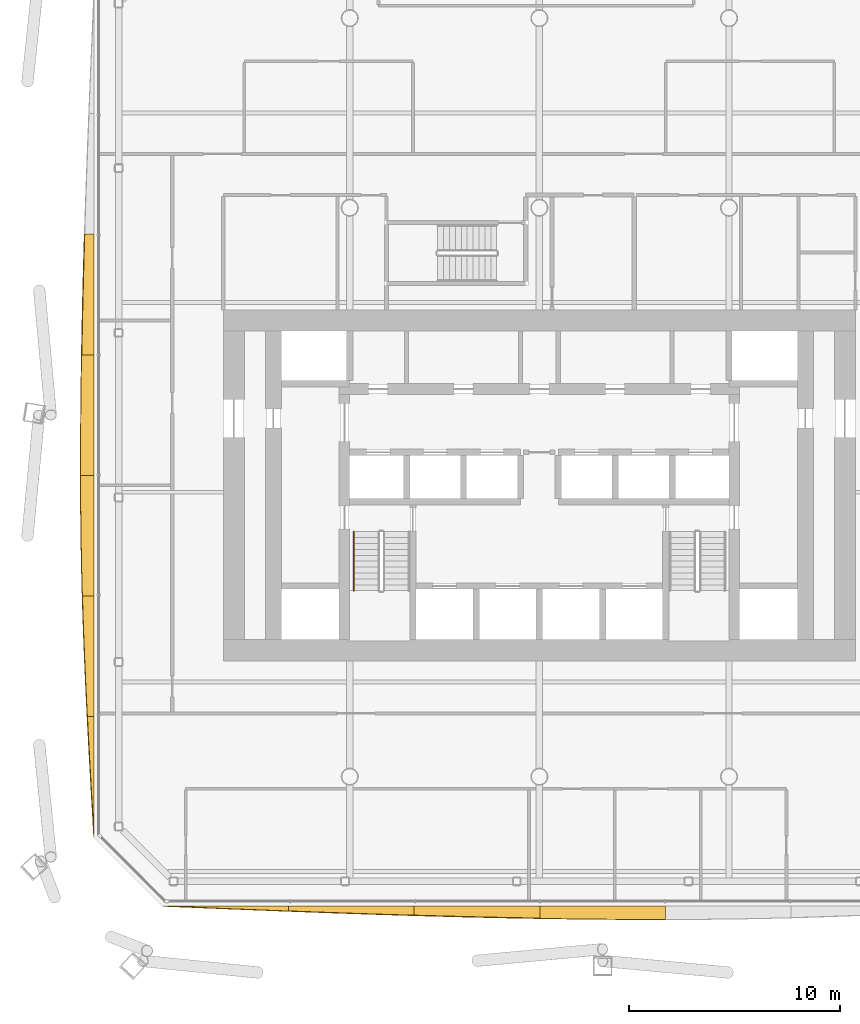
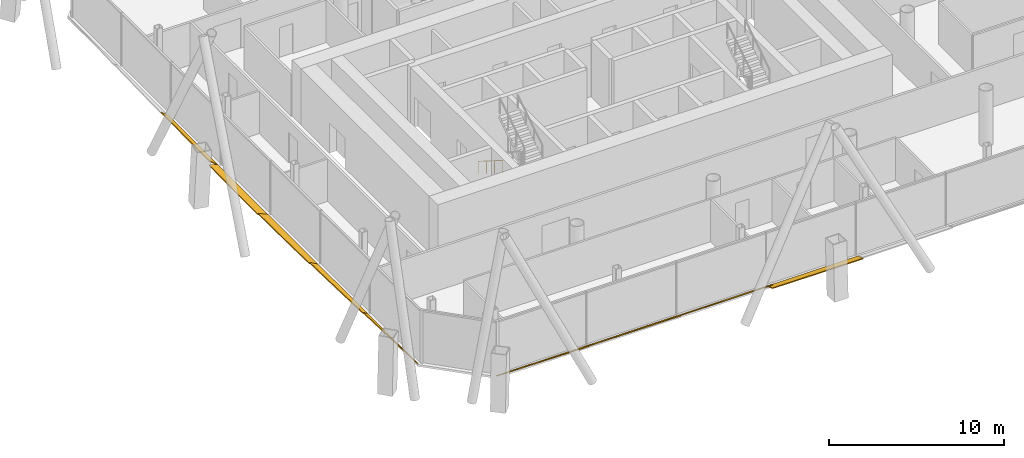
# One storey, part 18 of 22: 9 shading devices, 1 railing.
"""IFC4 building model written with IfcOpenShell, lengths in metres."""

from ifc_helpers import new_model, si_unit, direction, frame, origin, origin_2d, place, context, subcontext, project, spatial, polyline, circle, outline, extrude, material, layer, layer_set, type_object, element, save


model = new_model("IFC4")

# Units and contexts
model_context = context("Model", 3, precision=1e-05, world=origin(), true_north=direction((0.0, 1.0)))
body_context = subcontext(model_context, "Body", "Model", "MODEL_VIEW")
ifc_project = project(units=[si_unit("LENGTHUNIT", "METRE"), si_unit("AREAUNIT", "SQUARE_METRE"), si_unit("VOLUMEUNIT", "CUBIC_METRE"), si_unit("PLANEANGLEUNIT", "RADIAN"), si_unit("MASSUNIT", "GRAM", prefix="KILO")], contexts=[model_context])

# Site, building, storey
site_placement = place(None, origin())
site = spatial("IfcSite", under=ifc_project, at=site_placement, CompositionType="ELEMENT")
building_placement = place(site_placement, origin())
building = spatial("IfcBuilding", under=site, at=building_placement, Name="Tskaro Facet Tower", CompositionType="ELEMENT")
storey_placement = place(building_placement, frame((0.0, 0.0, 97.199951171875)))
storey = spatial("IfcBuildingStorey", under=building, at=storey_placement, Name="L23", CompositionType="ELEMENT", Elevation=97.199951171875)

# Shading devices
ifc_material_1 = material(Name="Bronze anodised aluminium 6063-T6", Category="aluminium")
ifc_layer = layer(ifc_material_1, 0.06005859375, Name="Bronze anodised aluminium 6063-T6")
ifc_layer_set = layer_set([ifc_layer], Name="Bronze anodised aluminium 6063-T6")
shading_device_type = type_object("IfcShadingDeviceType", Name="Bronze sun blade (FN1)", PredefinedType="USERDEFINED", material=ifc_layer_set)
shading_device_1_placement = place(storey_placement, frame((-17.861083984375, -24.135009765625, 0.052001953125), z_axis=(1.8827421e-05, 0.500273966514, 0.865867171149), x_axis=(0.999999999823, -9.418868e-06, -1.6302046e-05)))
element("IfcShadingDevice", 1, at=shading_device_1_placement, inside=storey, type_object=shading_device_type, Name="Fin blade south 1", ObjectType="FIN", PredefinedType="USERDEFINED", context=body_context, shape_type="SweptSolid", body=[
    extrude(outline(polyline([(0.0, 0.0), (5.960449217693595, 0.0), (5.96044921979435, -0.2773849876933867), (5.215332031721484, -0.2441352425901902), (4.470214843029554, -0.2103405735833785), (3.725341796643043, -0.17621237402532036), (2.98022460901251, -0.14153925056364702), (2.235107420762912, -0.10632120319835847), (1.49023437313827, -0.07110315583306992), (0.745117186569135, -0.03555157791653496), (0.0, 0.0)])), origin(), (0.0, 0.0, -1.0), 0.06005859375),
])
shading_device_2_placement = place(storey_placement, frame((-11.900634765625, -24.130615234375, 0.04931640625), z_axis=(6.471612e-06, 0.573370425494, 0.819296256019), x_axis=(0.999999999979, -3.710631e-06, -5.302168e-06)))
element("IfcShadingDevice", 2, at=shading_device_2_placement, inside=storey, type_object=shading_device_type, Name="Fin blade south 2", ObjectType="FIN", PredefinedType="USERDEFINED", context=body_context, shape_type="SweptSolid", body=[
    extrude(outline(polyline([(0.0, 0.0), (5.960205078000189, -2.524245036782133e-21), (5.960205078123726, -0.5429211599165663), (5.215087890141446, -0.5155600850172202), (4.470214844338397, -0.48683898406168036), (3.725097656875639, -0.457037823078026), (2.979980468378167, -0.42615660206625705), (2.2351074216713656, -0.39425536151234297), (1.4899902342107714, -0.3614740844303232), (0.7448730466213788, -0.3278127708201977), (-4.718173548523603e-10, -0.2932714206819666), (0.0, 0.0)])), origin(), (0.0, 0.0, -1.0), 0.06005859375),
])
shading_device_3_placement = place(storey_placement, frame((-5.9404296875, -24.12646484375, 0.0458984375), z_axis=(-1.3687767e-05, 0.642941355938, 0.765915408278), x_axis=(0.999999999906, 8.800432e-06, 1.0483672e-05)))
element("IfcShadingDevice", 3, at=shading_device_3_placement, inside=storey, type_object=shading_device_type, Name="Fin blade south 3", ObjectType="FIN", PredefinedType="USERDEFINED", context=body_context, shape_type="SweptSolid", body=[
    extrude(outline(polyline([(0.0, 0.0), (5.960205077566663, 0.0), (5.960205078624108, -0.7612557162878466), (5.2153320309255475, -0.7446255842326475), (4.470214842695816, -0.7260886652560403), (3.7250976571193806, -0.7058019274625165), (2.980224610113185, -0.6837953938140762), (2.235107420838224, -0.6604130234817025), (1.4899902342165594, -0.6352808343324123), (0.7451171865760827, -0.6087728084991888), (-1.1846176631197347e-09, -0.5807019549155406), (0.0, 0.0)])), origin(), (0.0, 0.0, -1.0), 0.06005859375),
])
shading_device_4_placement = place(storey_placement, frame((0.019775390625, -24.14453125, 0.056396484375), z_axis=(1.5859149e-05, 0.342112772426, 0.939658901246), x_axis=(0.999999999874, -5.425617e-06, -1.490219e-05)))
element("IfcShadingDevice", 4, at=shading_device_4_placement, inside=storey, type_object=shading_device_type, Name="Fin blade south 4", ObjectType="FIN", PredefinedType="USERDEFINED", context=body_context, shape_type="SweptSolid", body=[
    extrude(outline(polyline([(0.0, 0.0), (5.960449218000436, 0.0), (5.96044921890558, -0.6752471111821432), (5.215332032152675, -0.6739330193726312), (4.47021484472855, -0.6710754268421416), (3.725341795933557, -0.6664449246792081), (2.9802246108052177, -0.6604168070806717), (2.235107420042813, -0.6526993034757826), (1.4902343741970001, -0.6435841844352908), (0.7451171857303823, -0.632696155762355), (-2.0828433801391413e-09, -0.6204940352799074), (0.0, 0.0)])), origin(), (0.0, 0.0, -1.0), 0.06005859375),
])
shading_device_5_placement = place(storey_placement, frame((-21.12646484375, 7.74462890625, 0.0458984375), z_axis=(0.642918455207, -7.714157e-06, 0.765934631607), x_axis=(-4.959574e-06, -0.99999999997, -5.90854e-06)))
element("IfcShadingDevice", 5, at=shading_device_5_placement, inside=storey, type_object=shading_device_type, Name="Fin blade west 3", ObjectType="FIN", PredefinedType="USERDEFINED", context=body_context, shape_type="SweptSolid", body=[
    extrude(outline(polyline([(0.0, 0.0), (5.720947265454779, -2.4229154117443872e-21), (5.720947265998928, -0.7652562836483009), (5.005859374459995, -0.7487831160654236), (4.290771485521981, -0.7304331946032726), (3.575683593646511, -0.7104904110426216), (2.8605957031611275, -0.6884838778430216), (2.1452636715349622, -0.6652584740642721), (1.4301757804813613, -0.6401262831600565), (0.7150878903544852, -0.6136182591632083), (-5.649964721794867e-11, -0.5855474063140524), (0.0, 0.0)])), origin(), (0.0, 0.0, -1.0), 0.06005859375),
])
shading_device_6_placement = place(storey_placement, frame((-21.14453125, 2.023681640625, 0.056396484375), z_axis=(0.34206704212, -9.286699e-06, 0.93967554965), x_axis=(-3.176674e-06, -0.999999999957, -8.726484e-06)))
element("IfcShadingDevice", 6, at=shading_device_6_placement, inside=storey, type_object=shading_device_type, Name="Fin blade west 4", ObjectType="FIN", PredefinedType="USERDEFINED", context=body_context, shape_type="SweptSolid", body=[
    extrude(outline(polyline([(0.0, 0.0), (5.721191406003294, 0.0), (5.721191407003699, -0.6754765261360951), (5.006103516213359, -0.6747047747466408), (4.291015624255111, -0.6721601076022794), (3.5759277340350013, -0.6679884252175509), (2.8605957027975486, -0.6622732400539136), (2.1455078117927346, -0.6550145521113679), (1.4304199225260572, -0.646128848928455), (0.7153320307365387, -0.6357831554280922), (6.016796162849676e-11, -0.6238104466873622), (0.0, 0.0)])), origin(), (0.0, 0.0, -1.0), 0.06005859375),
])
shading_device_7_placement = place(storey_placement, frame((-21.1396484375, -3.697509765625, 0.054443359375), z_axis=(0.422629244378, 7.304642e-06, 0.906302665638), x_axis=(3.087155e-06, -0.999999999973, 6.620217e-06)))
element("IfcShadingDevice", 7, at=shading_device_7_placement, inside=storey, type_object=shading_device_type, Name="Fin blade west 5", ObjectType="FIN", PredefinedType="USERDEFINED", context=body_context, shape_type="SweptSolid", body=[
    extrude(outline(polyline([(0.0, 0.0), (5.721191406097365, 2.4230188093209563e-21), (5.721191405950745, -0.6071751817032225), (5.006103514850581, -0.6286941014530769), (4.2910156248223625, -0.6475876443391171), (3.575683594378531, -0.6635313640942408), (2.8605957032616747, -0.6769677913169162), (2.1455078131078995, -0.6872331301094411), (1.430419921547242, -0.694445464803181), (0.7150878904335359, -0.699032422633107), (0.022949218041028948, -0.7003451110650141), (-7.083587925813122e-10, -0.7003451110650141), (0.0, 0.0)])), origin(), (0.0, 0.0, -1.0), 0.06005859375),
])
shading_device_8_placement = place(storey_placement, frame((-21.135009765625, -9.418701171875, 0.052001953125), z_axis=(0.500021251215, 1.3470658e-05, 0.866013133937), x_axis=(6.735615e-06, -0.999999999909, 1.1665767e-05)))
element("IfcShadingDevice", 8, at=shading_device_8_placement, inside=storey, type_object=shading_device_type, Name="Fin blade west 6", ObjectType="FIN", PredefinedType="USERDEFINED", context=body_context, shape_type="SweptSolid", body=[
    extrude(outline(polyline([(0.0, 0.0), (5.72119140573092, 4.846037618641913e-21), (5.721191406435392, -0.367081318710078), (5.006103515467567, -0.407659359518891), (4.290771483552688, -0.4468140288863318), (3.575683594025935, -0.48378896434821383), (2.860595704617892, -0.5187955948923341), (2.145507812480474, -0.5517118450178964), (1.4304199209025525, -0.5821148567493071), (0.7150878892591519, -0.6100046300865662), (-1.1997731786240099e-09, -0.6353811650296739), (0.0, 0.0)])), origin(), (0.0, 0.0, -1.0), 0.06005859375),
])
shading_device_9_placement = place(storey_placement, frame((-21.130615234375, -15.139892578125, 0.04931640625), z_axis=(0.573147386, -3.6974913e-05, 0.819452300353), x_axis=(-2.1192075e-05, -0.999999999316, -3.0299177e-05)))
element("IfcShadingDevice", 9, at=shading_device_9_placement, inside=storey, type_object=shading_device_type, Name="Fin blade west 7", ObjectType="FIN", PredefinedType="USERDEFINED", context=body_context, shape_type="SweptSolid", body=[
    extrude(outline(polyline([(0.0, 0.0), (5.721191402339154, 0.0), (5.005859370858062, -0.05066197024802259), (4.290771487399063, -0.1011840119349143), (3.575683593592371, -0.15130593042800075), (2.8605957042325074, -0.20074786860502014), (2.145507814145624, -0.24930976486906992), (1.430175777533043, -0.2967915576232474), (0.7150878830416896, -0.3430533183064216), (-7.72985496475277e-09, -0.3877550567605592), (0.0, 0.0)])), origin(), (0.0, 0.0, -1.0), 0.06005859375),
])

# Railing
ifc_material_2 = material(Name="Stainless steel", Category="steel")
railing_type = type_object("IfcRailingType", Name="RL-HANDRAIL-900", PredefinedType="HANDRAIL", material=ifc_material_2)
railing_placement = place(storey_placement, frame((-8.800048828125, -6.375, 0.17724609375)))
element("IfcRailing", 10, at=railing_placement, inside=storey, type_object=railing_type, Name="L23 ST-1 stair handrail 1", PredefinedType="HANDRAIL", context=body_context, shape_type="SweptSolid", body=[
    extrude(circle(Radius=0.02392578125, at=origin_2d()), frame((0.0, 0.0, 0.8759765625), z_axis=(0.0, -0.844908973607, 0.534910110503), x_axis=(1.0, 0.0, 0.0)), (0.0, 0.0, 1.0), 3.31396484375),
    extrude(circle(Radius=0.02099609375, at=origin_2d()), origin(), (0.0, 0.0, 1.0), 0.851806640625),
    extrude(circle(Radius=0.02099609375, at=origin_2d()), frame((0.0, -0.933349609375, 0.5908203125)), (0.0, 0.0, 1.0), 0.851806640625),
    extrude(circle(Radius=0.02099609375, at=origin_2d()), frame((0.0, -1.86669921875, 1.181884765625)), (0.0, 0.0, 1.0), 0.851806640625),
    extrude(circle(Radius=0.02099609375, at=origin_2d()), frame((0.0, -2.800048828125, 1.772705078125)), (0.0, 0.0, 1.0), 0.851806640625),
])

save(model, "model.ifc")
